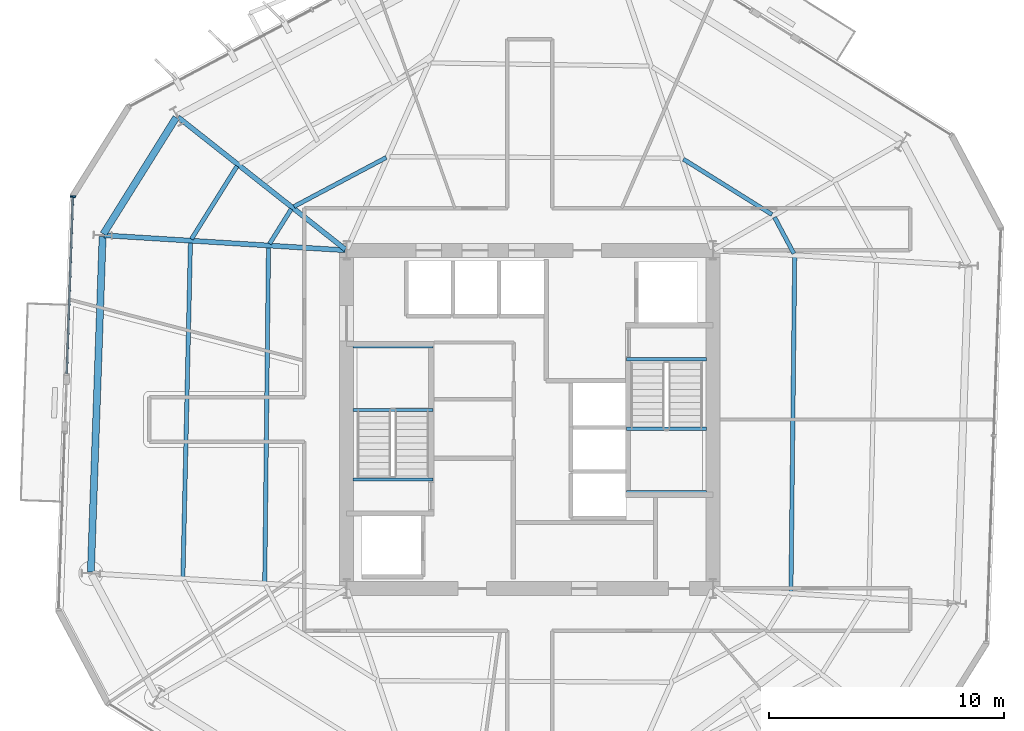
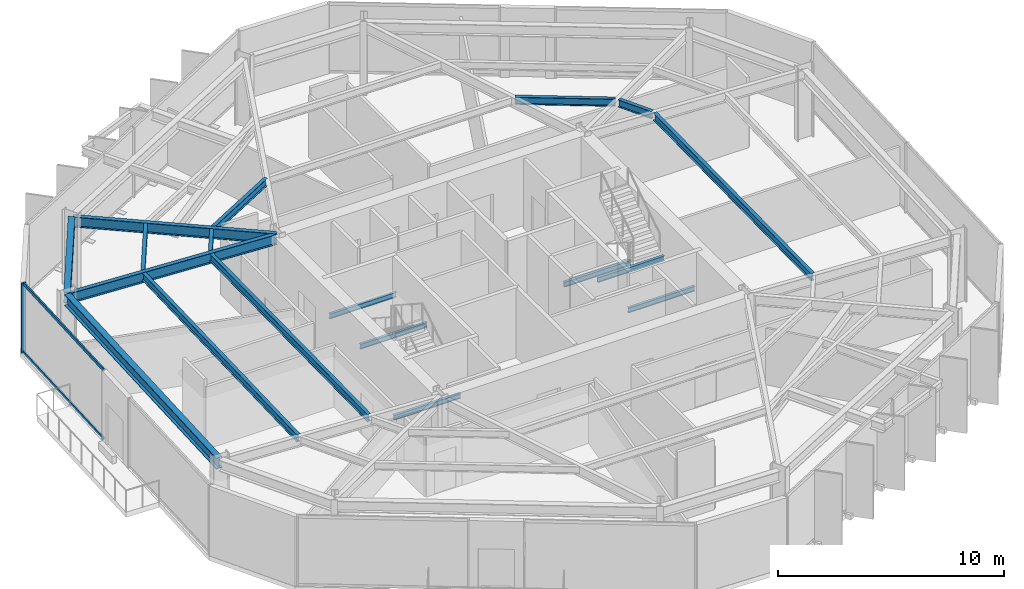
# One storey, part 3 of 12: 18 beams, 3 members, 1 element without a shape of its own.
"""IFC4 building model written with IfcOpenShell, lengths in metres."""

from ifc_helpers import new_model, si_unit, direction, frame, origin, origin_2d, place, context, subcontext, project, spatial, rectangle, i_section, extrude, material, layer, layer_set, material_profile, profile_set, type_object, element, aggregate, save


model = new_model("IFC4")

# Units and contexts
model_context = context("Model", 3, precision=1e-05, world=origin(), true_north=direction((0.0, 1.0)))
body_context = subcontext(model_context, "Body", "Model", "MODEL_VIEW")
ifc_project = project(units=[si_unit("LENGTHUNIT", "METRE"), si_unit("AREAUNIT", "SQUARE_METRE"), si_unit("VOLUMEUNIT", "CUBIC_METRE"), si_unit("PLANEANGLEUNIT", "RADIAN"), si_unit("MASSUNIT", "GRAM", prefix="KILO")], contexts=[model_context])

# Site, building, storey
site_placement = place(None, origin())
site = spatial("IfcSite", under=ifc_project, at=site_placement, CompositionType="ELEMENT")
building_placement = place(site_placement, origin())
building = spatial("IfcBuilding", under=site, at=building_placement, Name="Kranzbogen Civic Tower", CompositionType="ELEMENT")
storey_placement = place(building_placement, frame((0.0, 0.0, 134.39990234375)))
storey = spatial("IfcBuildingStorey", under=building, at=storey_placement, Name="L32", CompositionType="ELEMENT", Elevation=134.39990234375)

# Curtain wall, members
ifc_material_1 = material(Name="Pale Anodised Aluminium", Category="aluminium")
ifc_layer = layer(ifc_material_1, 0.219970703125, Name="Pale Anodised Aluminium")
ifc_layer_set = layer_set([ifc_layer], Name="Pale Anodised Aluminium")
curtain_wall_type = type_object("IfcCurtainWallType", Name="Zone 2 Stick Curtain Wall System CW-03", PredefinedType="USERDEFINED", material=ifc_layer_set)
curtain_wall_placement = place(storey_placement, origin())
curtain_wall = element("IfcCurtainWall", 1, at=curtain_wall_placement, inside=storey, type_object=curtain_wall_type, Name="L32 curtain wall CW-L32-F3-S1", ObjectType="STICK CURTAIN WALL", PredefinedType="USERDEFINED")
ifc_material_profile_1 = material_profile(ifc_material_1, rectangle(XDim=0.074951171875, YDim=0.219970703125, at=origin_2d()), Name="ALU-M 75x220")
ifc_profile_set_1 = profile_set([ifc_material_profile_1], Name="Pale Anodised Aluminium")
member_type_1 = type_object("IfcMemberType", Name="Curtain Wall Mullion ALU-M 75x220", PredefinedType="MULLION", material=ifc_profile_set_1)
member_1_placement = place(storey_placement, frame((5.546875, 34.488037109375, 0.0), z_axis=(0.0, 0.0, 1.0), x_axis=(-0.034845780392, -0.999392701389, 0.0)))
member_1 = element("IfcMember", 2, at=member_1_placement, type_object=member_type_1, Name="CW-03 mullion 1", PredefinedType="MULLION", context=body_context, shape_type="SweptSolid", body=[
    extrude(rectangle(XDim=0.074951171875, YDim=0.219970703125, at=origin_2d()), origin(), (0.0, 0.0, 1.0), 3.760009765625),
])
ifc_material_profile_2 = material_profile(ifc_material_1, rectangle(XDim=0.074951171875, YDim=0.1650390625, at=origin_2d()), Name="ALU-T 75x165")
ifc_profile_set_2 = profile_set([ifc_material_profile_2], Name="Pale Anodised Aluminium")
member_type_2 = type_object("IfcMemberType", Name="Curtain Wall Transom ALU-T 75x165", PredefinedType="USERDEFINED", material=ifc_profile_set_2)
member_2_placement = place(storey_placement, frame((5.5458984375, 34.4580078125, 0.030029296875), z_axis=(-0.034832703598, -0.999393157251, 0.0), x_axis=(0.999393157251, -0.034832703598, 0.0)))
member_2 = element("IfcMember", 3, at=member_2_placement, type_object=member_type_2, Name="CW-03 transom 1.1", ObjectType="TRANSOM", PredefinedType="USERDEFINED", context=body_context, shape_type="SweptSolid", body=[
    extrude(rectangle(XDim=0.074951171875, YDim=0.1650390625, at=origin_2d()), origin(), (0.0, 0.0, 1.0), 7.513671875),
])
member_3_placement = place(storey_placement, frame((5.5458984375, 34.4580078125, 3.72998046875), z_axis=(-0.034832703598, -0.999393157251, 0.0), x_axis=(0.999393157251, -0.034832703598, 0.0)))
member_3 = element("IfcMember", 4, at=member_3_placement, type_object=member_type_2, Name="CW-03 transom 1.2", ObjectType="TRANSOM", PredefinedType="USERDEFINED", context=body_context, shape_type="SweptSolid", body=[
    extrude(rectangle(XDim=0.074951171875, YDim=0.1650390625, at=origin_2d()), origin(), (0.0, 0.0, 1.0), 7.513671875),
])
aggregate(curtain_wall, [member_1, member_2, member_3])

# Beams
ifc_material_2 = material(Name="Steel S355", Category="steel")
ifc_material_profile_3 = material_profile(ifc_material_2, i_section(OverallWidth=0.300048828125, OverallDepth=0.60009765625, WebThickness=0.015380859375, FlangeThickness=0.030029296875, at=origin_2d()), Name="HEB 600")
ifc_profile_set_3 = profile_set([ifc_material_profile_3], Name="Steel S355")
beam_type_1 = type_object("IfcBeamType", Name="Perimeter Tube Spandrel Beam HEB 600", PredefinedType="SPANDREL", material=ifc_profile_set_3)
beam_1_placement = place(storey_placement, frame((9.945068359375, 37.85693359375, 3.460205078125), z_axis=(-0.529863902903, -0.848082687242, 0.0), x_axis=(0.848082687242, -0.529863902903, 0.0)))
element("IfcBeam", 5, at=beam_1_placement, inside=storey, type_object=beam_type_1, Name="L32 perimeter spandrel beam 11", PredefinedType="SPANDREL", context=body_context, shape_type="SweptSolid", body=[
    extrude(i_section(OverallWidth=0.300048828125, OverallDepth=0.60009765625, WebThickness=0.015380859375, FlangeThickness=0.030029296875, at=origin_2d()), origin(), (0.0, 0.0, 1.0), 5.850830078125),
])
beam_2_placement = place(storey_placement, frame((6.81103515625, 32.783935546875, 3.460205078125), z_axis=(-0.034924229103, -0.999389963038, 0.0), x_axis=(0.999389963038, -0.034924229103, 0.0)))
element("IfcBeam", 6, at=beam_2_placement, inside=storey, type_object=beam_type_1, Name="L32 perimeter spandrel beam 12", PredefinedType="SPANDREL", context=body_context, shape_type="SweptSolid", body=[
    extrude(i_section(OverallWidth=0.300048828125, OverallDepth=0.60009765625, WebThickness=0.015380859375, FlangeThickness=0.030029296875, at=origin_2d()), origin(), (0.0, 0.0, 1.0), 14.288818359375),
])
ifc_material_profile_4 = material_profile(ifc_material_2, i_section(OverallWidth=0.2099609375, OverallDepth=0.550048828125, WebThickness=0.010986328125, FlangeThickness=0.01708984375, at=origin_2d()), Name="IPE 550")
ifc_profile_set_4 = profile_set([ifc_material_profile_4], Name="Steel S355")
beam_type_2 = type_object("IfcBeamType", Name="Radial Tower Floor Girder IPE 550", PredefinedType="BEAM", material=ifc_profile_set_4)
beam_3_placement = place(storey_placement, frame((10.02392578125, 37.87109375, 3.485107421875), z_axis=(0.78457455683, -0.620034486763, 0.0), x_axis=(0.620034486763, 0.78457455683, 0.0)))
element("IfcBeam", 7, at=beam_3_placement, inside=storey, type_object=beam_type_2, Name="L32 radial floor girder 11", PredefinedType="BEAM", context=body_context, shape_type="SweptSolid", body=[
    extrude(i_section(OverallWidth=0.2099609375, OverallDepth=0.550048828125, WebThickness=0.010986328125, FlangeThickness=0.01708984375, at=origin_2d()), origin(), (0.0, 0.0, 1.0), 9.086669921875),
])
beam_4_placement = place(storey_placement, frame((6.873046875, 32.840087890625, 3.485107421875), z_axis=(0.998086872961, -0.061827130147, 0.0), x_axis=(0.061827130147, 0.998086872961, 0.0)))
element("IfcBeam", 8, at=beam_4_placement, inside=storey, type_object=beam_type_2, Name="L32 radial floor girder 12", PredefinedType="BEAM", context=body_context, shape_type="SweptSolid", body=[
    extrude(i_section(OverallWidth=0.2099609375, OverallDepth=0.550048828125, WebThickness=0.010986328125, FlangeThickness=0.01708984375, at=origin_2d()), origin(), (0.0, 0.0, 1.0), 10.28662109375),
])
ifc_material_profile_5 = material_profile(ifc_material_2, i_section(OverallWidth=0.179931640625, OverallDepth=0.39990234375, WebThickness=0.008544921875, FlangeThickness=0.013427734375, at=origin_2d()), Name="IPE 400")
ifc_profile_set_5 = profile_set([ifc_material_profile_5], Name="Steel S355")
beam_type_3 = type_object("IfcBeamType", Name="Secondary Composite Floor Joist IPE 400", PredefinedType="JOIST", material=ifc_profile_set_5)
beam_5_placement = place(storey_placement, frame((36.125, 17.674072265625, 3.56005859375), z_axis=(0.011160516663, 0.999937719494, 0.0), x_axis=(-0.999937719494, 0.011160516663, 0.0)))
element("IfcBeam", 9, at=beam_5_placement, inside=storey, type_object=beam_type_3, Name="L32 secondary floor joist 2.06", PredefinedType="JOIST", context=body_context, shape_type="SweptSolid", body=[
    extrude(i_section(OverallWidth=0.179931640625, OverallDepth=0.39990234375, WebThickness=0.008544921875, FlangeThickness=0.013427734375, at=origin_2d()), origin(), (0.0, 0.0, 1.0), 14.240966796875),
])
beam_6_placement = place(storey_placement, frame((36.2470703125, 32.06494140625, 3.56005859375), z_axis=(-0.46943723363, 0.882965845139, 0.0), x_axis=(-0.882965845139, -0.46943723363, 0.0)))
element("IfcBeam", 10, at=beam_6_placement, inside=storey, type_object=beam_type_3, Name="L32 secondary floor joist 2.07", PredefinedType="JOIST", context=body_context, shape_type="SweptSolid", body=[
    extrude(i_section(OverallWidth=0.179931640625, OverallDepth=0.39990234375, WebThickness=0.008544921875, FlangeThickness=0.013427734375, at=origin_2d()), origin(), (0.0, 0.0, 1.0), 1.7509765625),
])
beam_7_placement = place(storey_placement, frame((35.320068359375, 33.72412109375, 3.56005859375), z_axis=(-0.848093834398, 0.529846060716, 0.0), x_axis=(-0.529846060716, -0.848093834398, 0.0)))
element("IfcBeam", 11, at=beam_7_placement, inside=storey, type_object=beam_type_3, Name="L32 secondary floor joist 2.08", PredefinedType="JOIST", context=body_context, shape_type="SweptSolid", body=[
    extrude(i_section(OverallWidth=0.179931640625, OverallDepth=0.39990234375, WebThickness=0.008544921875, FlangeThickness=0.013427734375, at=origin_2d()), origin(), (0.0, 0.0, 1.0), 4.4501953125),
])
beam_8_placement = place(storey_placement, frame((18.888916015625, 36.153076171875, 3.56005859375), z_axis=(-0.882991399158, -0.469389165844, 0.0), x_axis=(0.469389165844, -0.882991399158, 0.0)))
element("IfcBeam", 12, at=beam_8_placement, inside=storey, type_object=beam_type_3, Name="L32 secondary floor joist 2.10", PredefinedType="JOIST", context=body_context, shape_type="SweptSolid", body=[
    extrude(i_section(OverallWidth=0.179931640625, OverallDepth=0.39990234375, WebThickness=0.008544921875, FlangeThickness=0.013427734375, at=origin_2d()), origin(), (0.0, 0.0, 1.0), 4.45068359375),
])
beam_9_placement = place(storey_placement, frame((12.534912109375, 35.784912109375, 3.56005859375), z_axis=(-0.529867065107, -0.848080711557, 0.0), x_axis=(0.848080711557, -0.529867065107, 0.0)))
element("IfcBeam", 13, at=beam_9_placement, inside=storey, type_object=beam_type_3, Name="L32 secondary floor joist 1.11", PredefinedType="JOIST", context=body_context, shape_type="SweptSolid", body=[
    extrude(i_section(OverallWidth=0.179931640625, OverallDepth=0.39990234375, WebThickness=0.008544921875, FlangeThickness=0.013427734375, at=origin_2d()), origin(), (0.0, 0.0, 1.0), 3.6611328125),
])
beam_10_placement = place(storey_placement, frame((14.845947265625, 33.958984375, 3.56005859375), z_axis=(-0.529572623603, -0.84826460278, 0.0), x_axis=(0.84826460278, -0.529572623603, 0.0)))
element("IfcBeam", 14, at=beam_10_placement, inside=storey, type_object=beam_type_3, Name="L32 secondary floor joist 2.11", PredefinedType="JOIST", context=body_context, shape_type="SweptSolid", body=[
    extrude(i_section(OverallWidth=0.179931640625, OverallDepth=0.39990234375, WebThickness=0.008544921875, FlangeThickness=0.013427734375, at=origin_2d()), origin(), (0.0, 0.0, 1.0), 1.75048828125),
])
beam_11_placement = place(storey_placement, frame((10.551025390625, 32.531982421875, 3.56005859375), z_axis=(-0.022402523442, -0.999749031979, 0.0), x_axis=(0.999749031979, -0.022402523442, 0.0)))
element("IfcBeam", 15, at=beam_11_placement, inside=storey, type_object=beam_type_3, Name="L32 secondary floor joist 1.12", PredefinedType="JOIST", context=body_context, shape_type="SweptSolid", body=[
    extrude(i_section(OverallWidth=0.179931640625, OverallDepth=0.39990234375, WebThickness=0.008544921875, FlangeThickness=0.013427734375, at=origin_2d()), origin(), (0.0, 0.0, 1.0), 14.24365234375),
])
beam_12_placement = place(storey_placement, frame((13.875, 32.325927734375, 3.56005859375), z_axis=(-0.011160516663, -0.999937719494, 0.0), x_axis=(0.999937719494, -0.011160516663, 0.0)))
element("IfcBeam", 16, at=beam_12_placement, inside=storey, type_object=beam_type_3, Name="L32 secondary floor joist 2.12", PredefinedType="JOIST", context=body_context, shape_type="SweptSolid", body=[
    extrude(i_section(OverallWidth=0.179931640625, OverallDepth=0.39990234375, WebThickness=0.008544921875, FlangeThickness=0.013427734375, at=origin_2d()), origin(), (0.0, 0.0, 1.0), 14.240966796875),
])
ifc_material_profile_6 = material_profile(ifc_material_2, i_section(OverallWidth=0.135009765625, OverallDepth=0.27001953125, WebThickness=0.006591796875, FlangeThickness=0.01025390625, at=origin_2d()), Name="IPE 270")
ifc_profile_set_6 = profile_set([ifc_material_profile_6], Name="Steel S355")
beam_type_4 = type_object("IfcBeamType", Name="Stair Landing Support Beam IPE 270", PredefinedType="JOIST", material=ifc_profile_set_6)
for number, where, z_axis, x_axis, name in (
    (17, (20.8798828125, 22.43994140625, -0.375), (-1.0, 0.0, 0.0), (0.0, -1.0, 0.0), "L32 ST-T1 stair floor header beam"),
    (18, (20.8798828125, 25.39990234375, 1.6650390625), (-1.0, 0.0, 0.0), (0.0, -1.0, 0.0), "L32 ST-T1 landing support beam 1.1"),
    (19, (20.8798828125, 28.10009765625, 1.6650390625), (-1.0, 0.0, 0.0), (0.0, -1.0, 0.0), "L32 ST-T1 landing support beam 1.2"),
    (20, (29.1201171875, 27.56005859375, -0.375), (1.0, 0.0, 0.0), (0.0, 1.0, 0.0), "L32 ST-T2 stair floor header beam"),
    (21, (29.1201171875, 24.60009765625, 1.6650390625), (1.0, 0.0, 0.0), (0.0, 1.0, 0.0), "L32 ST-T2 landing support beam 1.1"),
    (22, (29.1201171875, 21.89990234375, 1.6650390625), (1.0, 0.0, 0.0), (0.0, 1.0, 0.0), "L32 ST-T2 landing support beam 1.2"),
):
    element("IfcBeam", number, at=place(storey_placement, frame(where, z_axis=z_axis, x_axis=x_axis)), inside=storey, type_object=beam_type_4, Name=name, PredefinedType="JOIST", context=body_context, shape_type="SweptSolid", body=[
        extrude(i_section(OverallWidth=0.135009765625, OverallDepth=0.27001953125, WebThickness=0.006591796875, FlangeThickness=0.01025390625, at=origin_2d()), origin(), (0.0, 0.0, 1.0), 3.409912109375),
    ])

save(model, "model.ifc")
